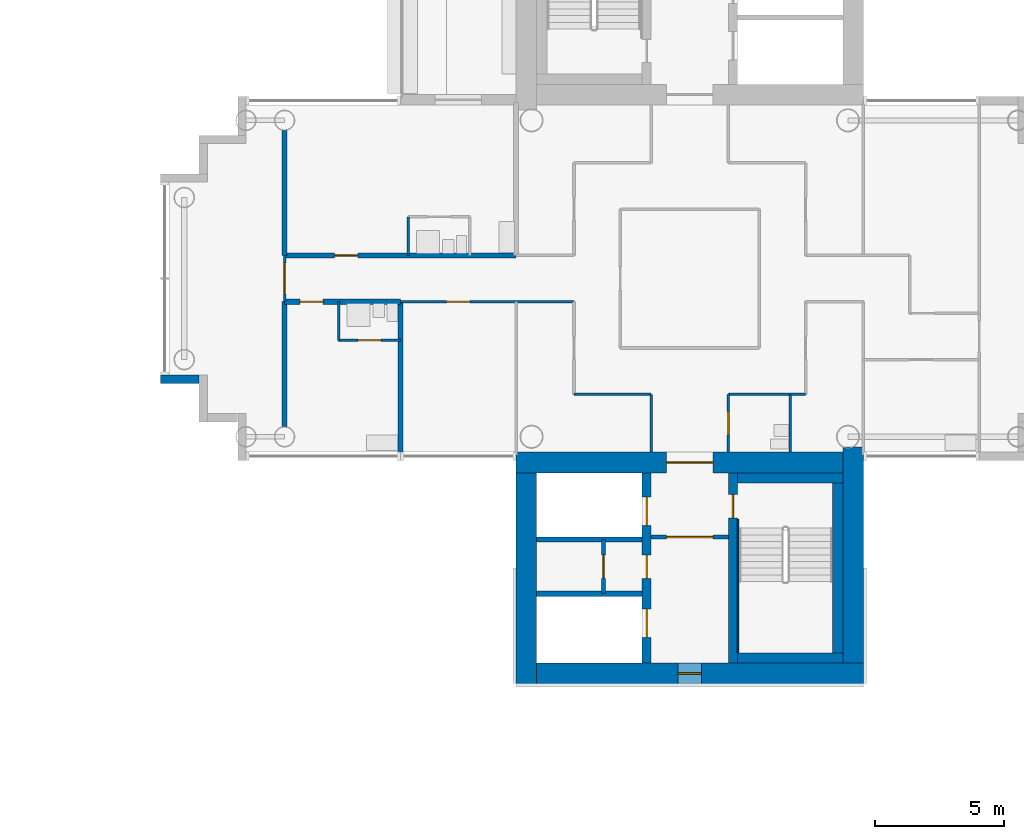
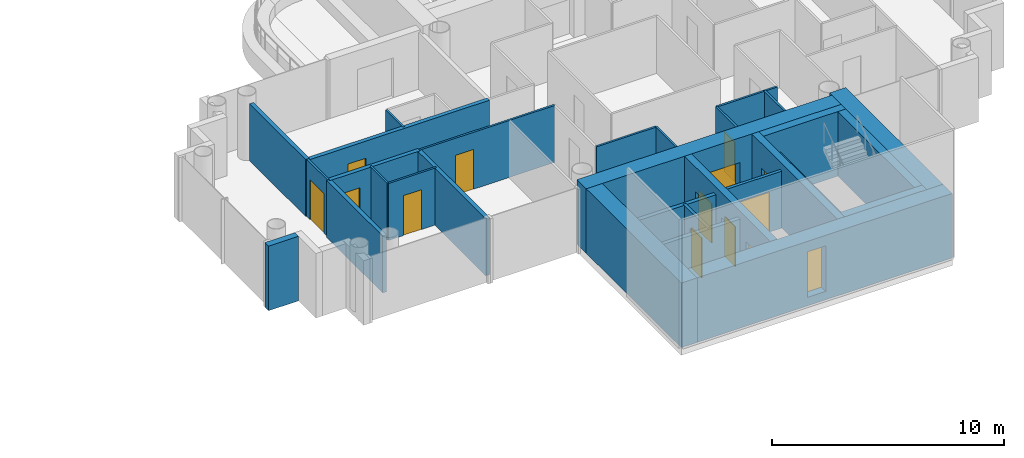
# One storey, part 10 of 20: 30 walls, 13 doors, 1 window, 14 openings.
"""IFC4 building model written with IfcOpenShell, lengths in metres."""

from ifc_helpers import new_model, si_unit, direction, frame, frame_2d, origin, place, context, subcontext, project, spatial, rectangle, extrude, material, layer, layer_set, type_object, element, fill, save


model = new_model("IFC4")

# Units and contexts
model_context = context("Model", 3, precision=1e-05, world=origin(), true_north=direction((0.0, 1.0)))
body_context = subcontext(model_context, "Body", "Model", "MODEL_VIEW")
ifc_project = project(units=[si_unit("LENGTHUNIT", "METRE"), si_unit("AREAUNIT", "SQUARE_METRE"), si_unit("VOLUMEUNIT", "CUBIC_METRE"), si_unit("PLANEANGLEUNIT", "RADIAN"), si_unit("MASSUNIT", "GRAM", prefix="KILO")], contexts=[model_context])

# Site, building, storey
site_placement = place(None, origin())
site = spatial("IfcSite", under=ifc_project, at=site_placement, CompositionType="ELEMENT")
building_placement = place(site_placement, origin())
building = spatial("IfcBuilding", under=site, at=building_placement, Name="Ipe Terrace Towers", CompositionType="ELEMENT")
storey_placement = place(building_placement, frame((0.0, 0.0, 167.699951171875)))
storey = spatial("IfcBuildingStorey", under=building, at=storey_placement, Name="L46", CompositionType="ELEMENT", Elevation=167.699951171875)

# Walls
ifc_material_1 = material(Name="Concrete C40/50 with buff precast cladding", Category="concrete")
ifc_layer_1 = layer(ifc_material_1, 0.320068359375)
ifc_layer_set_1 = layer_set([ifc_layer_1], Name="BUFF CLADDING WALL 320")
wall_type_1 = type_object("IfcWallType", Name="BUFF CLADDING WALL 320", PredefinedType="STANDARD", material=ifc_layer_set_1)
wall_1_placement = place(storey_placement, frame((15.429931640625, -3.909912109375, -0.300048828125), z_axis=(0.0, 0.0, 1.0), x_axis=(1.0, 0.0, 0.0)))
element("IfcWall", 1, at=wall_1_placement, inside=storey, type_object=wall_type_1, Name="T2-W-L46-35a wall", PredefinedType="STANDARD", context=body_context, shape_type="SweptSolid", body=[
    extrude(rectangle(XDim=1.5, YDim=0.320068359375, at=frame_2d((0.75, 0.0))), origin(), (0.0, 0.0, 1.0), 3.400146484375),
])
ifc_material_2 = material(Name="Gypsum board partition", Category="plasterboard")
ifc_layer_2 = layer(ifc_material_2, 0.10009765625)
ifc_layer_set_2 = layer_set([ifc_layer_2], Name="Gypsum board partition 100 mm")
wall_type_2 = type_object("IfcWallType", Name="Gypsum board partition 100 mm", PredefinedType="PARTITIONING", material=ifc_layer_set_2)
for number, where, z_axis, x_axis, name in (
    (2, (40.5, -4.5, 0.0), (0.0, 0.0, 1.0), (-1.0, 0.0, 0.0), "Gypsum board partition T2 L46 W01"),
    (3, (34.5, -4.5, 0.0), (0.0, 0.0, 1.0), (-1.0, 0.0, 0.0), "Gypsum board partition T2 L46 W02"),
):
    element("IfcWall", number, at=place(storey_placement, frame(where, z_axis=z_axis, x_axis=x_axis)), inside=storey, type_object=wall_type_2, Name=name, PredefinedType="PARTITIONING", context=body_context, shape_type="SweptSolid", body=[
        extrude(rectangle(XDim=3.0, YDim=0.10009765625, at=frame_2d((1.5, 0.0))), origin(), (0.0, 0.0, 1.0), 3.0),
    ])

# Wall, opening, door
wall_2_placement = place(storey_placement, frame((24.75, -2.39990234375, 0.0), z_axis=(0.0, 0.0, 1.0), x_axis=(-1.0, 0.0, 0.0)))
wall_2 = element("IfcWall", 4, at=wall_2_placement, inside=storey, type_object=wall_type_2, Name="Gypsum board partition T2 L46 W05", PredefinedType="PARTITIONING", context=body_context, shape_type="SweptSolid", body=[
    extrude(rectangle(XDim=2.39990234375, YDim=0.10009765625, at=frame_2d((1.199951171875, 0.0))), origin(), (0.0, 0.0, 1.0), 3.0),
])
opening_1_placement = place(wall_2_placement, frame((0.75, 0.0, 0.0)))
opening_1 = element("IfcOpeningElement", 5, at=opening_1_placement, cuts=wall_2, Name="Opening T2-Z3F-09", PredefinedType="OPENING", context=body_context, shape_type="SweptSolid", body=[
    extrude(rectangle(XDim=0.89990234375, YDim=2.10009765625, at=frame_2d((0.449951171875, 1.050048828125))), frame((0.0, 0.06005859375, 0.0), z_axis=(0.0, -1.0, 0.0), x_axis=(1.0, 0.0, 0.0)), (0.0, 0.0, 1.0), 0.1201171875),
])
ifc_material_3 = material(Name="Timber door leaf", Category="wood")
door_type_1 = type_object("IfcDoorType", Name="Bathroom door 900 x 2100", OperationType="NOTDEFINED", PredefinedType="DOOR", material=ifc_material_3)
door_1_placement = place(opening_1_placement, origin())
door_1 = element("IfcDoor", 6, at=door_1_placement, inside=storey, type_object=door_type_1, Name="Bathroom door T2-Z3F-09", OperationType="SINGLE_SWING_LEFT", OverallHeight=2.10009765625, OverallWidth=0.89990234375, PredefinedType="DOOR", context=body_context, shape_type="SweptSolid", body=[
    extrude(rectangle(XDim=0.89990234375, YDim=2.10009765625, at=frame_2d((0.449951171875, 1.050048828125))), frame((0.0, 0.02490234375, 0.0), z_axis=(0.0, -1.0, 0.0), x_axis=(1.0, 0.0, 0.0)), (0.0, 0.0, 1.0), 0.050048828125),
])
fill(opening_1, door_1)

wall_3_placement = place(storey_placement, frame((31.5, -0.89990234375, 0.0), z_axis=(0.0, 0.0, 1.0), x_axis=(-1.0, 0.0, 0.0)))
wall_3 = element("IfcWall", 7, at=wall_3_placement, inside=storey, type_object=wall_type_2, Name="Gypsum board partition T2 L46 W08", PredefinedType="PARTITIONING", context=body_context, shape_type="SweptSolid", body=[
    extrude(rectangle(XDim=6.75, YDim=0.10009765625, at=frame_2d((3.375, 0.0))), origin(), (0.0, 0.0, 1.0), 3.0),
])
opening_2_placement = place(wall_3_placement, frame((4.050048828125, 0.0, 0.0)))
opening_2 = element("IfcOpeningElement", 8, at=opening_2_placement, cuts=wall_3, Name="Opening T2-Z3F-07", PredefinedType="OPENING", context=body_context, shape_type="SweptSolid", body=[
    extrude(rectangle(XDim=0.89990234375, YDim=2.10009765625, at=frame_2d((0.449951171875, 1.050048828125))), frame((0.0, 0.06005859375, 0.0), z_axis=(0.0, -1.0, 0.0), x_axis=(1.0, 0.0, 0.0)), (0.0, 0.0, 1.0), 0.1201171875),
])
ifc_material_4 = material(Name="Timber door leaf", Category="wood")
door_type_2 = type_object("IfcDoorType", Name="Lounge door 900 x 2100", OperationType="NOTDEFINED", PredefinedType="DOOR", material=ifc_material_4)
door_2_placement = place(opening_2_placement, origin())
door_2 = element("IfcDoor", 9, at=door_2_placement, inside=storey, type_object=door_type_2, Name="Lounge door T2-Z3F-07", OperationType="SINGLE_SWING_LEFT", OverallHeight=2.10009765625, OverallWidth=0.89990234375, PredefinedType="DOOR", context=body_context, shape_type="SweptSolid", body=[
    extrude(rectangle(XDim=0.89990234375, YDim=2.10009765625, at=frame_2d((0.449951171875, 1.050048828125))), frame((0.0, 0.02490234375, 0.0), z_axis=(0.0, -1.0, 0.0), x_axis=(1.0, 0.0, 0.0)), (0.0, 0.0, 1.0), 0.050048828125),
])
fill(opening_2, door_2)

# Wall
wall_4_placement = place(storey_placement, frame((39.89990234375, -6.75, 0.0), z_axis=(0.0, 0.0, 1.0), x_axis=(0.0, 1.0, 0.0)))
element("IfcWall", 10, at=wall_4_placement, inside=storey, type_object=wall_type_2, Name="Gypsum board partition T2 L46 W27", PredefinedType="PARTITIONING", context=body_context, shape_type="SweptSolid", body=[
    extrude(rectangle(XDim=2.25, YDim=0.10009765625, at=frame_2d((1.125, 0.0))), origin(), (0.0, 0.0, 1.0), 3.0),
])

# Wall, opening, door
wall_5_placement = place(storey_placement, frame((37.5, -6.75, 0.0), z_axis=(0.0, 0.0, 1.0), x_axis=(0.0, 1.0, 0.0)))
wall_5 = element("IfcWall", 11, at=wall_5_placement, inside=storey, type_object=wall_type_2, Name="Gypsum board partition T2 L46 W31", PredefinedType="PARTITIONING", context=body_context, shape_type="SweptSolid", body=[
    extrude(rectangle(XDim=2.25, YDim=0.10009765625, at=frame_2d((1.125, 0.0))), origin(), (0.0, 0.0, 1.0), 3.0),
])
opening_3_placement = place(wall_5_placement, frame((0.675048828125, 0.0, 0.0)))
opening_3 = element("IfcOpeningElement", 12, at=opening_3_placement, cuts=wall_5, Name="Opening T2-Z3F-02", PredefinedType="OPENING", context=body_context, shape_type="SweptSolid", body=[
    extrude(rectangle(XDim=0.89990234375, YDim=2.10009765625, at=frame_2d((0.449951171875, 1.050048828125))), frame((0.0, 0.06005859375, 0.0), z_axis=(0.0, -1.0, 0.0), x_axis=(1.0, 0.0, 0.0)), (0.0, 0.0, 1.0), 0.1201171875),
])
door_3_placement = place(opening_3_placement, origin())
door_3 = element("IfcDoor", 13, at=door_3_placement, inside=storey, type_object=door_type_1, Name="Bathroom door T2-Z3F-02", OperationType="SINGLE_SWING_RIGHT", OverallHeight=2.10009765625, OverallWidth=0.89990234375, PredefinedType="DOOR", context=body_context, shape_type="SweptSolid", body=[
    extrude(rectangle(XDim=0.89990234375, YDim=2.10009765625, at=frame_2d((0.449951171875, 1.050048828125))), frame((0.0, 0.02490234375, 0.0), z_axis=(0.0, -1.0, 0.0), x_axis=(1.0, 0.0, 0.0)), (0.0, 0.0, 1.0), 0.050048828125),
])
fill(opening_3, door_3)

# Walls
wall_6_placement = place(storey_placement, frame((34.5, -6.75, 0.0), z_axis=(0.0, 0.0, 1.0), x_axis=(0.0, 1.0, 0.0)))
element("IfcWall", 14, at=wall_6_placement, inside=storey, type_object=wall_type_2, Name="Gypsum board partition T2 L46 W35", PredefinedType="PARTITIONING", context=body_context, shape_type="SweptSolid", body=[
    extrude(rectangle(XDim=2.25, YDim=0.10009765625, at=frame_2d((1.125, 0.0))), origin(), (0.0, 0.0, 1.0), 3.0),
])
for number, where, z_axis, x_axis, name in (
    (15, (25.050048828125, 0.89990234375, 0.0), (0.0, 0.0, 1.0), (0.0, 1.0, 0.0), "Gypsum board partition T2 L46 W46"),
    (16, (22.35009765625, -2.39990234375, 0.0), (0.0, 0.0, 1.0), (0.0, 1.0, 0.0), "Gypsum board partition T2 L46 W48"),
):
    element("IfcWall", number, at=place(storey_placement, frame(where, z_axis=z_axis, x_axis=x_axis)), inside=storey, type_object=wall_type_2, Name=name, PredefinedType="PARTITIONING", context=body_context, shape_type="SweptSolid", body=[
        extrude(rectangle(XDim=1.5, YDim=0.10009765625, at=frame_2d((0.75, 0.0))), origin(), (0.0, 0.0, 1.0), 3.0),
    ])

# Wall, opening, door
wall_7_placement = place(storey_placement, frame((20.25, -0.89990234375, 0.0), z_axis=(0.0, 0.0, 1.0), x_axis=(0.0, 1.0, 0.0)))
wall_7 = element("IfcWall", 17, at=wall_7_placement, inside=storey, type_object=wall_type_2, Name="Gypsum board partition T2 L46 W49", PredefinedType="PARTITIONING", context=body_context, shape_type="SweptSolid", body=[
    extrude(rectangle(XDim=1.7998046875, YDim=0.10009765625, at=frame_2d((0.89990234375, 0.0))), origin(), (0.0, 0.0, 1.0), 3.0),
])
opening_4_placement = place(wall_7_placement, frame((0.300048828125, 0.0, 0.0)))
opening_4 = element("IfcOpeningElement", 18, at=opening_4_placement, cuts=wall_7, Name="Opening T2-Z3F-12", PredefinedType="OPENING", context=body_context, shape_type="SweptSolid", body=[
    extrude(rectangle(XDim=1.199951171875, YDim=2.10009765625, at=frame_2d((0.60009765625, 1.050048828125))), frame((0.0, 0.06005859375, 0.0), z_axis=(0.0, -1.0, 0.0), x_axis=(1.0, 0.0, 0.0)), (0.0, 0.0, 1.0), 0.1201171875),
])
ifc_material_5 = material(Name="Timber door leaf", Category="wood")
door_type_3 = type_object("IfcDoorType", Name="Lounge door 1200 x 2100", OperationType="NOTDEFINED", PredefinedType="DOOR", material=ifc_material_5)
door_4_placement = place(opening_4_placement, origin())
door_4 = element("IfcDoor", 19, at=door_4_placement, inside=storey, type_object=door_type_3, Name="Lounge door T2-Z3F-12", OperationType="SINGLE_SWING_LEFT", OverallHeight=2.10009765625, OverallWidth=1.199951171875, PredefinedType="DOOR", context=body_context, shape_type="SweptSolid", body=[
    extrude(rectangle(XDim=1.199951171875, YDim=2.10009765625, at=frame_2d((0.60009765625, 1.050048828125))), frame((0.0, 0.02490234375, 0.0), z_axis=(0.0, -1.0, 0.0), x_axis=(1.0, 0.0, 0.0)), (0.0, 0.0, 1.0), 0.050048828125),
])
fill(opening_4, door_4)

ifc_material_6 = material(Name="Gypsum board partition", Category="plasterboard")
ifc_layer_3 = layer(ifc_material_6, 0.14990234375)
ifc_layer_set_3 = layer_set([ifc_layer_3], Name="Gypsum board partition 150 mm")
wall_type_3 = type_object("IfcWallType", Name="Gypsum board partition 150 mm", PredefinedType="PARTITIONING", material=ifc_layer_set_3)
wall_8_placement = place(storey_placement, frame((34.5, -10.050048828125, 0.0), z_axis=(0.0, 0.0, 1.0), x_axis=(1.0, 0.0, 0.0)))
wall_8 = element("IfcWall", 20, at=wall_8_placement, inside=storey, type_object=wall_type_3, Name="Gypsum board partition T2 L46 t2c2-lobby-wall", PredefinedType="PARTITIONING", context=body_context, shape_type="SweptSolid", body=[
    extrude(rectangle(XDim=3.0, YDim=0.14990234375, at=frame_2d((1.5, 0.0))), origin(), (0.0, 0.0, 1.0), 3.0),
])
opening_5_placement = place(wall_8_placement, frame((0.60009765625, 0.0, 0.0)))
opening_5 = element("IfcOpeningElement", 21, at=opening_5_placement, cuts=wall_8, Name="Opening T2C2-VD", PredefinedType="OPENING", context=body_context, shape_type="SweptSolid", body=[
    extrude(rectangle(XDim=1.800048828125, YDim=2.10009765625, at=frame_2d((0.89990234375, 1.050048828125))), frame((0.0, 0.0849609375, 0.0), z_axis=(0.0, -1.0, 0.0), x_axis=(1.0, 0.0, 0.0)), (0.0, 0.0, 1.0), 0.169921875),
])
ifc_material_7 = material(Name="Fire-rated timber door leaf", Category="wood")
door_type_4 = type_object("IfcDoorType", Name="Lobby door 1800 x 2100 FD60", OperationType="NOTDEFINED", PredefinedType="DOOR", material=ifc_material_7)
door_5_placement = place(opening_5_placement, origin())
door_5 = element("IfcDoor", 22, at=door_5_placement, inside=storey, type_object=door_type_4, Name="Lobby door T2C2-VD", OperationType="SINGLE_SWING_LEFT", OverallHeight=2.10009765625, OverallWidth=1.800048828125, PredefinedType="DOOR", context=body_context, shape_type="SweptSolid", body=[
    extrude(rectangle(XDim=1.800048828125, YDim=2.10009765625, at=frame_2d((0.89990234375, 1.050048828125))), frame((0.0, 0.02490234375, 0.0), z_axis=(0.0, -1.0, 0.0), x_axis=(1.0, 0.0, 0.0)), (0.0, 0.0, 1.0), 0.050048828125),
])
fill(opening_5, door_5)

wall_9_placement = place(storey_placement, frame((32.64990234375, -10.14990234375, 0.0), z_axis=(0.0, 0.0, 1.0), x_axis=(0.0, -1.0, 0.0)))
wall_9 = element("IfcWall", 23, at=wall_9_placement, inside=storey, type_object=wall_type_3, Name="Gypsum board partition T2 L46 t2c2-q-back", PredefinedType="PARTITIONING", context=body_context, shape_type="SweptSolid", body=[
    extrude(rectangle(XDim=2.10009765625, YDim=0.14990234375, at=frame_2d((1.050048828125, 0.0))), origin(), (0.0, 0.0, 1.0), 3.0),
])
opening_6_placement = place(wall_9_placement, frame((0.60009765625, 0.0, 0.0)))
opening_6 = element("IfcOpeningElement", 24, at=opening_6_placement, cuts=wall_9, Name="Opening T2C2-RB-FD30S", PredefinedType="OPENING", context=body_context, shape_type="SweptSolid", body=[
    extrude(rectangle(XDim=0.89990234375, YDim=2.10009765625, at=frame_2d((0.449951171875, 1.050048828125))), frame((0.0, 0.0849609375, 0.0), z_axis=(0.0, -1.0, 0.0), x_axis=(1.0, 0.0, 0.0)), (0.0, 0.0, 1.0), 0.169921875),
])
ifc_material_8 = material(Name="Fire-rated timber door leaf", Category="wood")
door_type_5 = type_object("IfcDoorType", Name="Service door 900 x 2100 FD30S", OperationType="NOTDEFINED", PredefinedType="DOOR", material=ifc_material_8)
door_6_placement = place(opening_6_placement, origin())
door_6 = element("IfcDoor", 25, at=door_6_placement, inside=storey, type_object=door_type_5, Name="Service door T2C2-RB-FD30S", OperationType="SINGLE_SWING_LEFT", OverallHeight=2.10009765625, OverallWidth=0.89990234375, PredefinedType="DOOR", context=body_context, shape_type="SweptSolid", body=[
    extrude(rectangle(XDim=0.89990234375, YDim=2.10009765625, at=frame_2d((0.449951171875, 1.050048828125))), frame((0.0, 0.02490234375, 0.0), z_axis=(0.0, -1.0, 0.0), x_axis=(1.0, 0.0, 0.0)), (0.0, 0.0, 1.0), 0.050048828125),
])
fill(opening_6, door_6)

# Walls
ifc_material_9 = material(Name="Gypsum board party wall", Category="plasterboard")
ifc_layer_4 = layer(ifc_material_9, 0.199951171875)
ifc_layer_set_4 = layer_set([ifc_layer_4], Name="Gypsum board party wall 200 mm")
wall_type_4 = type_object("IfcWallType", Name="Gypsum board party wall 200 mm", PredefinedType="SOLIDWALL", material=ifc_layer_set_4)
for number, where, z_axis, x_axis, name in (
    (26, (30.050048828125, -12.25, 0.0), (0.0, 0.0, 1.0), (1.0, 0.0, 0.0), "Gypsum board party wall T2 L46 t2c2-shaft-div2"),
    (27, (30.050048828125, -10.14990234375, 0.0), (0.0, 0.0, 1.0), (1.0, 0.0, 0.0), "Gypsum board party wall T2 L46 t2c2-shaft-div1"),
):
    element("IfcWall", number, at=place(storey_placement, frame(where, z_axis=z_axis, x_axis=x_axis)), inside=storey, type_object=wall_type_4, Name=name, PredefinedType="SOLIDWALL", context=body_context, shape_type="SweptSolid", body=[
        extrude(rectangle(XDim=4.099853515625, YDim=0.199951171875, at=frame_2d((2.0498046875, 0.0))), origin(), (0.0, 0.0, 1.0), 3.0),
    ])

# Wall, opening, door
wall_10_placement = place(storey_placement, frame((24.75, -0.89990234375, 0.0), z_axis=(0.0, 0.0, 1.0), x_axis=(-1.0, 0.0, 0.0)))
wall_10 = element("IfcWall", 28, at=wall_10_placement, inside=storey, type_object=wall_type_4, Name="Gypsum board party wall T2 L46 W09", PredefinedType="SOLIDWALL", context=body_context, shape_type="SweptSolid", body=[
    extrude(rectangle(XDim=4.5, YDim=0.199951171875, at=frame_2d((2.25, 0.0))), origin(), (0.0, 0.0, 1.0), 3.0),
])
opening_7_placement = place(wall_10_placement, frame((3.0, 0.0, 0.0)))
opening_7 = element("IfcOpeningElement", 29, at=opening_7_placement, cuts=wall_10, Name="Opening T2-Z3F-08", PredefinedType="OPENING", context=body_context, shape_type="SweptSolid", body=[
    extrude(rectangle(XDim=0.89990234375, YDim=2.10009765625, at=frame_2d((0.449951171875, 1.050048828125))), frame((0.0, 0.10986328125, 0.0), z_axis=(0.0, -1.0, 0.0), x_axis=(1.0, 0.0, 0.0)), (0.0, 0.0, 1.0), 0.219970703125),
])
ifc_material_10 = material(Name="Fire-rated timber door leaf", Category="wood")
door_type_6 = type_object("IfcDoorType", Name="Flat entrance door 900 x 2100 FD30S", OperationType="NOTDEFINED", PredefinedType="DOOR", material=ifc_material_10)
door_7_placement = place(opening_7_placement, origin())
door_7 = element("IfcDoor", 30, at=door_7_placement, inside=storey, type_object=door_type_6, Name="Flat entrance door T2-Z3F-08", OperationType="SINGLE_SWING_LEFT", OverallHeight=2.10009765625, OverallWidth=0.89990234375, PredefinedType="DOOR", context=body_context, shape_type="SweptSolid", body=[
    extrude(rectangle(XDim=0.89990234375, YDim=2.10009765625, at=frame_2d((0.449951171875, 1.050048828125))), frame((0.0, 0.02490234375, 0.0), z_axis=(0.0, -1.0, 0.0), x_axis=(1.0, 0.0, 0.0)), (0.0, 0.0, 1.0), 0.050048828125),
])
fill(opening_7, door_7)

wall_11_placement = place(storey_placement, frame((29.25, 0.89990234375, 0.0), z_axis=(0.0, 0.0, 1.0), x_axis=(-1.0, 0.0, 0.0)))
wall_11 = element("IfcWall", 31, at=wall_11_placement, inside=storey, type_object=wall_type_4, Name="Gypsum board party wall T2 L46 W12", PredefinedType="SOLIDWALL", context=body_context, shape_type="SweptSolid", body=[
    extrude(rectangle(XDim=9.0, YDim=0.199951171875, at=frame_2d((4.5, 0.0))), origin(), (0.0, 0.0, 1.0), 3.0),
])
opening_8_placement = place(wall_11_placement, frame((6.14990234375, 0.0, 0.0)))
opening_8 = element("IfcOpeningElement", 32, at=opening_8_placement, cuts=wall_11, Name="Opening T2-Z3F-10", PredefinedType="OPENING", context=body_context, shape_type="SweptSolid", body=[
    extrude(rectangle(XDim=0.89990234375, YDim=2.10009765625, at=frame_2d((0.449951171875, 1.050048828125))), frame((0.0, 0.10986328125, 0.0), z_axis=(0.0, -1.0, 0.0), x_axis=(1.0, 0.0, 0.0)), (0.0, 0.0, 1.0), 0.219970703125),
])
door_8_placement = place(opening_8_placement, origin())
door_8 = element("IfcDoor", 33, at=door_8_placement, inside=storey, type_object=door_type_6, Name="Flat entrance door T2-Z3F-10", OperationType="SINGLE_SWING_RIGHT", OverallHeight=2.10009765625, OverallWidth=0.89990234375, PredefinedType="DOOR", context=body_context, shape_type="SweptSolid", body=[
    extrude(rectangle(XDim=0.89990234375, YDim=2.10009765625, at=frame_2d((0.449951171875, 1.050048828125))), frame((0.0, 0.02490234375, 0.0), z_axis=(0.0, -1.0, 0.0), x_axis=(1.0, 0.0, 0.0)), (0.0, 0.0, 1.0), 0.050048828125),
])
fill(opening_8, door_8)

# Walls
wall_12_placement = place(storey_placement, frame((24.75, -6.85009765625, 0.0), z_axis=(0.0, 0.0, 1.0), x_axis=(0.0, 1.0, 0.0)))
element("IfcWall", 34, at=wall_12_placement, inside=storey, type_object=wall_type_4, Name="Gypsum board party wall T2 L46 W47", PredefinedType="SOLIDWALL", context=body_context, shape_type="SweptSolid", body=[
    extrude(rectangle(XDim=5.9501953125, YDim=0.199951171875, at=frame_2d((2.97509765625, 0.0))), origin(), (0.0, 0.0, 1.0), 3.0),
])
for number, where, z_axis, x_axis, name in (
    (35, (20.25, -5.75, 0.0), (0.0, 0.0, 1.0), (0.0, 1.0, 0.0), "Gypsum board party wall T2 L46 W50"),
    (36, (20.25, 0.89990234375, 0.0), (0.0, 0.0, 1.0), (0.0, 1.0, 0.0), "Gypsum board party wall T2 L46 W51"),
):
    element("IfcWall", number, at=place(storey_placement, frame(where, z_axis=z_axis, x_axis=x_axis)), inside=storey, type_object=wall_type_4, Name=name, PredefinedType="SOLIDWALL", context=body_context, shape_type="SweptSolid", body=[
        extrude(rectangle(XDim=4.85009765625, YDim=0.199951171875, at=frame_2d((2.425048828125, 0.0))), origin(), (0.0, 0.0, 1.0), 3.0),
    ])

# Wall, openings, doors
ifc_material_11 = material(Name="Concrete C50/60", Category="concrete")
ifc_layer_5 = layer(ifc_material_11, 0.35009765625)
ifc_layer_set_5 = layer_set([ifc_layer_5], Name="RW350 CORE SPINE WALL 350 C50-60")
wall_type_5 = type_object("IfcWallType", Name="RW350 CORE SPINE WALL 350 C50-60", PredefinedType="SHEAR", material=ifc_layer_set_5)
wall_13_placement = place(storey_placement, frame((34.324951171875, -14.949951171875, 0.0), z_axis=(0.0, 0.0, 1.0), x_axis=(0.0, 1.0, 0.0)))
wall_13 = element("IfcWall", 37, at=wall_13_placement, inside=storey, type_object=wall_type_5, Name="Core spine wall T2-C2-Z3-SW1", PredefinedType="SHEAR", context=body_context, shape_type="SweptSolid", body=[
    extrude(rectangle(XDim=7.39990234375, YDim=0.35009765625, at=frame_2d((3.699951171875, 0.0))), origin(), (0.0, 0.0, 1.0), 3.400146484375),
])
opening_9_placement = place(wall_13_placement, frame((5.35009765625, 0.0, 0.0)))
opening_9 = element("IfcOpeningElement", 38, at=opening_9_placement, cuts=wall_13, Name="Opening T2C2-LD1", PredefinedType="OPENING", context=body_context, shape_type="SweptSolid", body=[
    extrude(rectangle(XDim=1.10009765625, YDim=2.10009765625, at=frame_2d((0.550048828125, 1.050048828125))), frame((0.0, 0.18505859375, 0.0), z_axis=(0.0, -1.0, 0.0), x_axis=(1.0, 0.0, 0.0)), (0.0, 0.0, 1.0), 0.3701171875),
])
opening_10_placement = place(wall_13_placement, frame((1.0, 0.0, 0.0)))
opening_10 = element("IfcOpeningElement", 39, at=opening_10_placement, cuts=wall_13, Name="Opening T2C2-LD3", PredefinedType="OPENING", context=body_context, shape_type="SweptSolid", body=[
    extrude(rectangle(XDim=1.10009765625, YDim=2.10009765625, at=frame_2d((0.550048828125, 1.050048828125))), frame((0.0, 0.18505859375, 0.0), z_axis=(0.0, -1.0, 0.0), x_axis=(1.0, 0.0, 0.0)), (0.0, 0.0, 1.0), 0.3701171875),
])
opening_11_placement = place(wall_13_placement, frame((3.300048828125, 0.0, 0.0)))
opening_11 = element("IfcOpeningElement", 40, at=opening_11_placement, cuts=wall_13, Name="Opening T2C2-R1", PredefinedType="OPENING", context=body_context, shape_type="SweptSolid", body=[
    extrude(rectangle(XDim=0.89990234375, YDim=2.10009765625, at=frame_2d((0.449951171875, 1.050048828125))), frame((0.0, 0.18505859375, 0.0), z_axis=(0.0, -1.0, 0.0), x_axis=(1.0, 0.0, 0.0)), (0.0, 0.0, 1.0), 0.3701171875),
])
ifc_material_12 = material(Name="Fire-rated timber door leaf", Category="wood")
door_type_7 = type_object("IfcDoorType", Name="Sliding door 1100 x 2100 FD60", OperationType="SLIDING_TO_LEFT", PredefinedType="DOOR", material=ifc_material_12)
door_9_placement = place(opening_9_placement, origin())
door_9 = element("IfcDoor", 41, at=door_9_placement, inside=storey, type_object=door_type_7, Name="Sliding door T2C2-LD1", OperationType="SLIDING_TO_LEFT", OverallHeight=2.10009765625, OverallWidth=1.10009765625, PredefinedType="DOOR", context=body_context, shape_type="SweptSolid", body=[
    extrude(rectangle(XDim=1.10009765625, YDim=2.10009765625, at=frame_2d((0.550048828125, 1.050048828125))), frame((0.0, 0.02490234375, 0.0), z_axis=(0.0, -1.0, 0.0), x_axis=(1.0, 0.0, 0.0)), (0.0, 0.0, 1.0), 0.050048828125),
])
fill(opening_9, door_9)
door_10_placement = place(opening_10_placement, origin())
door_10 = element("IfcDoor", 42, at=door_10_placement, inside=storey, type_object=door_type_7, Name="Sliding door T2C2-LD3", OperationType="SLIDING_TO_LEFT", OverallHeight=2.10009765625, OverallWidth=1.10009765625, PredefinedType="DOOR", context=body_context, shape_type="SweptSolid", body=[
    extrude(rectangle(XDim=1.10009765625, YDim=2.10009765625, at=frame_2d((0.550048828125, 1.050048828125))), frame((0.0, 0.02490234375, 0.0), z_axis=(0.0, -1.0, 0.0), x_axis=(1.0, 0.0, 0.0)), (0.0, 0.0, 1.0), 0.050048828125),
])
fill(opening_10, door_10)
ifc_material_13 = material(Name="Timber door leaf", Category="wood")
door_type_8 = type_object("IfcDoorType", Name="Store door 900 x 2100", OperationType="NOTDEFINED", PredefinedType="DOOR", material=ifc_material_13)
door_11_placement = place(opening_11_placement, origin())
door_11 = element("IfcDoor", 43, at=door_11_placement, inside=storey, type_object=door_type_8, Name="Store door T2C2-R1", OperationType="SINGLE_SWING_LEFT", OverallHeight=2.10009765625, OverallWidth=0.89990234375, PredefinedType="DOOR", context=body_context, shape_type="SweptSolid", body=[
    extrude(rectangle(XDim=0.89990234375, YDim=2.10009765625, at=frame_2d((0.449951171875, 1.050048828125))), frame((0.0, 0.02490234375, 0.0), z_axis=(0.0, -1.0, 0.0), x_axis=(1.0, 0.0, 0.0)), (0.0, 0.0, 1.0), 0.050048828125),
])
fill(opening_11, door_11)

# Wall, opening, door
wall_14_placement = place(storey_placement, frame((37.675048828125, -14.949951171875, 0.0), z_axis=(0.0, 0.0, 1.0), x_axis=(0.0, 1.0, 0.0)))
wall_14 = element("IfcWall", 44, at=wall_14_placement, inside=storey, type_object=wall_type_5, Name="Core spine wall T2-C2-Z3-SW2", PredefinedType="SHEAR", context=body_context, shape_type="SweptSolid", body=[
    extrude(rectangle(XDim=7.39990234375, YDim=0.35009765625, at=frame_2d((3.699951171875, 0.0))), origin(), (0.0, 0.0, 1.0), 3.400146484375),
])
opening_12_placement = place(wall_14_placement, frame((5.64990234375, 0.0, 0.0)))
opening_12 = element("IfcOpeningElement", 45, at=opening_12_placement, cuts=wall_14, Name="Opening T2C2-SD", PredefinedType="OPENING", context=body_context, shape_type="SweptSolid", body=[
    extrude(rectangle(XDim=0.89990234375, YDim=2.10009765625, at=frame_2d((0.449951171875, 1.050048828125))), frame((0.0, 0.18505859375, 0.0), z_axis=(0.0, -1.0, 0.0), x_axis=(1.0, 0.0, 0.0)), (0.0, 0.0, 1.0), 0.3701171875),
])
ifc_material_14 = material(Name="Fire-rated timber door leaf", Category="wood")
door_type_9 = type_object("IfcDoorType", Name="Stair door 900 x 2100 FD60", OperationType="NOTDEFINED", PredefinedType="DOOR", material=ifc_material_14)
door_12_placement = place(opening_12_placement, origin())
door_12 = element("IfcDoor", 46, at=door_12_placement, inside=storey, type_object=door_type_9, Name="Stair door T2C2-SD", OperationType="SINGLE_SWING_RIGHT", OverallHeight=2.10009765625, OverallWidth=0.89990234375, PredefinedType="DOOR", context=body_context, shape_type="SweptSolid", body=[
    extrude(rectangle(XDim=0.89990234375, YDim=2.10009765625, at=frame_2d((0.449951171875, 1.050048828125))), frame((0.0, 0.02490234375, 0.0), z_axis=(0.0, -1.0, 0.0), x_axis=(1.0, 0.0, 0.0)), (0.0, 0.0, 1.0), 0.050048828125),
])
fill(opening_12, door_12)

# Walls
ifc_material_15 = material(Name="Concrete C50/60", Category="concrete")
ifc_layer_6 = layer(ifc_material_15, 0.39990234375)
ifc_layer_set_6 = layer_set([ifc_layer_6], Name="RW400 CORE INFILL WALL 400 C50-60")
wall_type_6 = type_object("IfcWallType", Name="RW400 CORE INFILL WALL 400 C50-60", PredefinedType="SHEAR", material=ifc_layer_set_6)
wall_15_placement = place(storey_placement, frame((37.85009765625, -14.75, 0.0), z_axis=(0.0, 0.0, 1.0), x_axis=(1.0, 0.0, 0.0)))
element("IfcWall", 47, at=wall_15_placement, inside=storey, type_object=wall_type_6, Name="Core infill wall T2-C2-far", PredefinedType="SHEAR", context=body_context, shape_type="SweptSolid", body=[
    extrude(rectangle(XDim=4.099853515625, YDim=0.39990234375, at=frame_2d((2.0498046875, 0.0))), origin(), (0.0, 0.0, 1.0), 3.400146484375),
])
wall_16_placement = place(storey_placement, frame((41.75, -7.949951171875, 0.0), z_axis=(0.0, 0.0, 1.0), x_axis=(0.0, -1.0, 0.0)))
element("IfcWall", 48, at=wall_16_placement, inside=storey, type_object=wall_type_6, Name="Core infill wall T2-C2-back", PredefinedType="SHEAR", context=body_context, shape_type="SweptSolid", body=[
    extrude(rectangle(XDim=6.60009765625, YDim=0.39990234375, at=frame_2d((3.300048828125, 0.0))), origin(), (0.0, 0.0, 1.0), 3.400146484375),
])
wall_17_placement = place(storey_placement, frame((37.85009765625, -7.75, 0.0), z_axis=(0.0, 0.0, 1.0), x_axis=(1.0, 0.0, 0.0)))
element("IfcWall", 49, at=wall_17_placement, inside=storey, type_object=wall_type_6, Name="Core infill wall T2-C2-near", PredefinedType="SHEAR", context=body_context, shape_type="SweptSolid", body=[
    extrude(rectangle(XDim=4.099853515625, YDim=0.39990234375, at=frame_2d((2.0498046875, 0.0))), origin(), (0.0, 0.0, 1.0), 3.400146484375),
])
ifc_material_16 = material(Name="Concrete C50/60", Category="concrete")
ifc_layer_7 = layer(ifc_material_16, 0.050048828125)
ifc_layer_set_7 = layer_set([ifc_layer_7], Name="RW50 CORE INFILL WALL 50 C50-60")
wall_type_7 = type_object("IfcWallType", Name="RW50 CORE INFILL WALL 50 C50-60", PredefinedType="SHEAR", material=ifc_layer_set_7)
wall_18_placement = place(storey_placement, frame((37.875, -9.35009765625, 0.0), z_axis=(0.0, 0.0, 1.0), x_axis=(0.0, -1.0, 0.0)))
element("IfcWall", 50, at=wall_18_placement, inside=storey, type_object=wall_type_7, Name="Core infill wall T2-C2-spine-b", PredefinedType="SHEAR", context=body_context, shape_type="SweptSolid", body=[
    extrude(rectangle(XDim=5.199951171875, YDim=0.050048828125, at=frame_2d((2.60009765625, 0.0))), origin(), (0.0, 0.0, 1.0), 3.400146484375),
])

# Wall, opening, window
ifc_material_17 = material(Name="Concrete C50/60", Category="concrete")
ifc_layer_8 = layer(ifc_material_17, 0.800048828125)
ifc_layer_set_8 = layer_set([ifc_layer_8], Name="RW800 CORE WALL 800 C50-60")
wall_type_8 = type_object("IfcWallType", Name="RW800 CORE WALL 800 C50-60", PredefinedType="SHEAR", material=ifc_layer_set_8)
wall_19_placement = place(storey_placement, frame((30.050048828125, -15.35009765625, 0.0), z_axis=(0.0, 0.0, 1.0), x_axis=(1.0, 0.0, 0.0)))
wall_19 = element("IfcWall", 51, at=wall_19_placement, inside=storey, type_object=wall_type_8, Name="Core wall T2-C2-Z3-W01", PredefinedType="SHEAR", context=body_context, shape_type="SweptSolid", body=[
    extrude(rectangle(XDim=12.699951171875, YDim=0.800048828125, at=frame_2d((6.35009765625, 0.0))), origin(), (0.0, 0.0, 1.0), 3.400146484375),
])
opening_13_placement = place(wall_19_placement, frame((5.5, 0.0, 0.449951171875)))
opening_13 = element("IfcOpeningElement", 52, at=opening_13_placement, cuts=wall_19, Name="Opening T2-C2-W-01-L46", PredefinedType="OPENING", context=body_context, shape_type="SweptSolid", body=[
    extrude(rectangle(XDim=0.89990234375, YDim=2.39990234375, at=frame_2d((0.449951171875, 1.199951171875))), frame((0.0, 0.41015625, 0.0), z_axis=(0.0, -1.0, 0.0), x_axis=(1.0, 0.0, 0.0)), (0.0, 0.0, 1.0), 0.820068359375),
])
ifc_material_18 = material(Name="Fire-resistant glazing EI 60", Category="glass")
window_type = type_object("IfcWindowType", Name="CORRIDOR END SLOT WINDOW 900 x 2400 EI 60", PartitioningType="SINGLE_PANEL", PredefinedType="WINDOW", material=ifc_material_18)
window_placement = place(opening_13_placement, origin())
window = element("IfcWindow", 53, at=window_placement, inside=storey, type_object=window_type, Name="W-01 window", OverallHeight=2.39990234375, OverallWidth=0.89990234375, PartitioningType="SINGLE_PANEL", PredefinedType="WINDOW", context=body_context, shape_type="SweptSolid", body=[
    extrude(rectangle(XDim=0.89990234375, YDim=2.39990234375, at=frame_2d((0.449951171875, 1.199951171875))), frame((0.0, 0.030029296875, 0.0), z_axis=(0.0, -1.0, 0.0), x_axis=(1.0, 0.0, 0.0)), (0.0, 0.0, 1.0), 0.06005859375),
])
fill(opening_13, window)

# Wall
wall_20_placement = place(storey_placement, frame((42.35009765625, -14.949951171875, 0.0), z_axis=(0.0, 0.0, 1.0), x_axis=(0.0, 1.0, 0.0)))
element("IfcWall", 54, at=wall_20_placement, inside=storey, type_object=wall_type_8, Name="Core wall T2-C2-Z3-W02", PredefinedType="SHEAR", context=body_context, shape_type="SweptSolid", body=[
    extrude(rectangle(XDim=8.39794921875, YDim=0.800048828125, at=frame_2d((4.198974609375, 0.0))), origin(), (0.0, 0.0, 1.0), 3.400146484375),
])

# Wall, opening, door
wall_21_placement = place(storey_placement, frame((41.949951171875, -7.14990234375, 0.0), z_axis=(0.0, 0.0, 1.0), x_axis=(-1.0, 0.0, 0.0)))
wall_21 = element("IfcWall", 55, at=wall_21_placement, inside=storey, type_object=wall_type_8, Name="Core wall T2-C2-Z3-W03", PredefinedType="SHEAR", context=body_context, shape_type="SweptSolid", body=[
    extrude(rectangle(XDim=12.699951171875, YDim=0.800048828125, at=frame_2d((6.35009765625, 0.0))), origin(), (0.0, 0.0, 1.0), 3.400146484375),
])
opening_14_placement = place(wall_21_placement, frame((5.050048828125, 0.0, 0.0)))
opening_14 = element("IfcOpeningElement", 56, at=opening_14_placement, cuts=wall_21, Name="Opening T2C2-ND", PredefinedType="OPENING", context=body_context, shape_type="SweptSolid", body=[
    extrude(rectangle(XDim=1.800048828125, YDim=2.10009765625, at=frame_2d((0.89990234375, 1.050048828125))), frame((0.0, 0.41015625, 0.0), z_axis=(0.0, -1.0, 0.0), x_axis=(1.0, 0.0, 0.0)), (0.0, 0.0, 1.0), 0.820068359375),
])
ifc_material_19 = material(Name="Fire-rated timber door leaf", Category="wood")
door_type_10 = type_object("IfcDoorType", Name="Fire door 1800 x 2100 FD30S", OperationType="NOTDEFINED", PredefinedType="DOOR", material=ifc_material_19)
door_13_placement = place(opening_14_placement, origin())
door_13 = element("IfcDoor", 57, at=door_13_placement, inside=storey, type_object=door_type_10, Name="Fire door T2C2-ND", OperationType="SINGLE_SWING_LEFT", OverallHeight=2.10009765625, OverallWidth=1.800048828125, PredefinedType="DOOR", context=body_context, shape_type="SweptSolid", body=[
    extrude(rectangle(XDim=1.800048828125, YDim=2.10009765625, at=frame_2d((0.89990234375, 1.050048828125))), frame((0.0, 0.02490234375, 0.0), z_axis=(0.0, -1.0, 0.0), x_axis=(1.0, 0.0, 0.0)), (0.0, 0.0, 1.0), 0.050048828125),
])
fill(opening_14, door_13)

# Wall
wall_22_placement = place(storey_placement, frame((29.64990234375, -7.550048828125, 0.0), z_axis=(0.0, 0.0, 1.0), x_axis=(0.0, -1.0, 0.0)))
element("IfcWall", 58, at=wall_22_placement, inside=storey, type_object=wall_type_8, Name="Core wall T2-C2-Z3-W04", PredefinedType="SHEAR", context=body_context, shape_type="SweptSolid", body=[
    extrude(rectangle(XDim=8.199951171875, YDim=0.800048828125, at=frame_2d((4.10009765625, 0.0))), origin(), (0.0, 0.0, 1.0), 3.400146484375),
])

save(model, "model.ifc")
